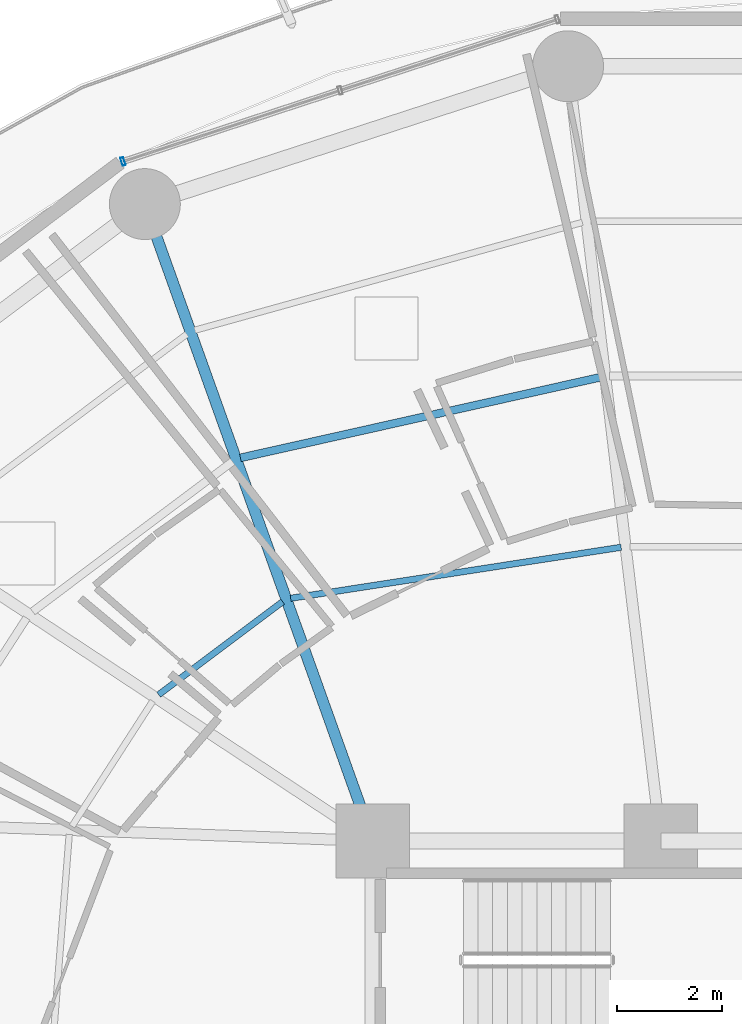
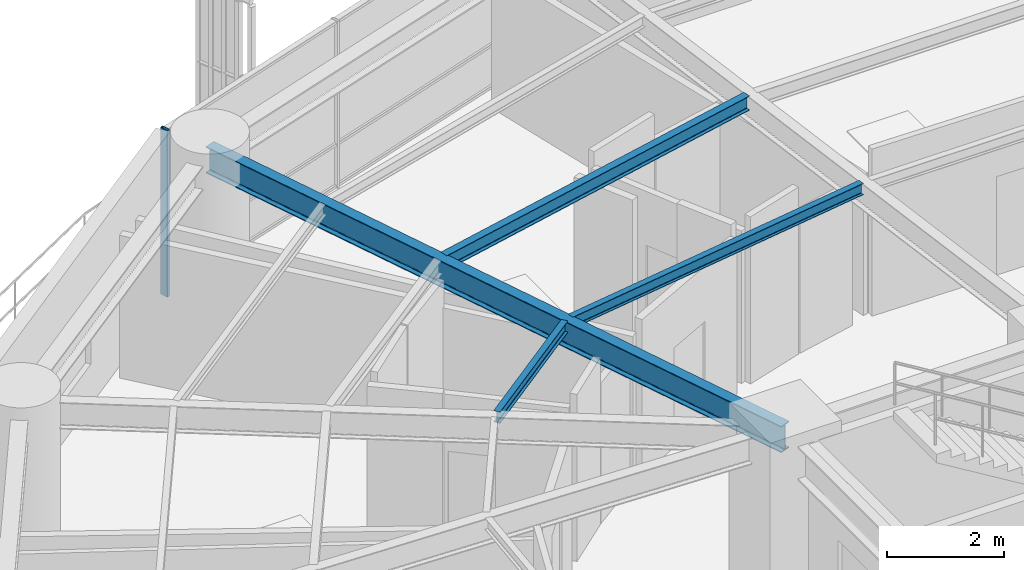
# One storey, part 19 of 36: 4 beams, 1 member, 1 element without a shape of its own.
"""IFC4 building model written with IfcOpenShell, lengths in metres."""

from ifc_helpers import new_model, si_unit, direction, frame, origin, origin_2d, place, context, subcontext, project, spatial, hollow_rectangle, i_section, extrude, material, layer, layer_set, material_profile, profile_set, type_object, element, aggregate, save


model = new_model("IFC4")

# Units and contexts
model_context = context("Model", 3, precision=1e-05, world=origin(), true_north=direction((0.0, 1.0)))
body_context = subcontext(model_context, "Body", "Model", "MODEL_VIEW")
ifc_project = project(units=[si_unit("LENGTHUNIT", "METRE"), si_unit("AREAUNIT", "SQUARE_METRE"), si_unit("VOLUMEUNIT", "CUBIC_METRE"), si_unit("PLANEANGLEUNIT", "RADIAN"), si_unit("MASSUNIT", "GRAM", prefix="KILO")], contexts=[model_context])

# Site, building, storey
site_placement = place(None, origin())
site = spatial("IfcSite", under=ifc_project, at=site_placement, CompositionType="ELEMENT")
building_placement = place(site_placement, origin())
building = spatial("IfcBuilding", under=site, at=building_placement, Name="Kelanora Arch Commons", CompositionType="ELEMENT")
storey_placement = place(building_placement, frame((0.0, 0.0, 98.85009765625)))
storey = spatial("IfcBuildingStorey", under=building, at=storey_placement, Name="L25", CompositionType="ELEMENT", Elevation=98.85009765625)

# Beams
ifc_material_1 = material(Name="Steel S355", Category="steel")
ifc_material_profile_1 = material_profile(ifc_material_1, i_section(OverallWidth=0.14990234375, OverallDepth=0.300048828125, WebThickness=0.007080078125, FlangeThickness=0.0107421875, FilletRadius=0.014892578125, at=origin_2d()), Name="IPE300")
ifc_profile_set_1 = profile_set([ifc_material_profile_1], Name="Steel S355")
beam_type_1 = type_object("IfcBeamType", Name="BM-JST-01", PredefinedType="JOIST", material=ifc_profile_set_1)
beam_1_placement = place(storey_placement, frame((70.337646484375, 73.828125, 3.33984375), z_axis=(-0.975817048791, -0.218588854449, 0.0), x_axis=(0.218588854449, -0.975817048791, 0.0)))
element("IfcBeam", 1, at=beam_1_placement, inside=storey, type_object=beam_type_1, Name="Secondary Chord Joist BJB-10 L25", PredefinedType="JOIST", context=body_context, shape_type="SweptSolid", body=[
    extrude(i_section(OverallWidth=0.14990234375, OverallDepth=0.300048828125, WebThickness=0.007080078125, FlangeThickness=0.0107421875, FilletRadius=0.014892578125, at=origin_2d()), origin(), (0.0, 0.0, 1.0), 7.028564453125),
])
ifc_material_profile_2 = material_profile(ifc_material_1, i_section(OverallWidth=0.1201171875, OverallDepth=0.239990234375, WebThickness=0.006103515625, FlangeThickness=0.009765625, FilletRadius=0.014892578125, at=origin_2d()), Name="IPE240")
ifc_profile_set_2 = profile_set([ifc_material_profile_2], Name="Steel S355")
beam_type_2 = type_object("IfcBeamType", Name="BM-JST-02", PredefinedType="JOIST", material=ifc_profile_set_2)
beam_2_placement = place(storey_placement, frame((70.72509765625, 70.590087890625, 3.369873046875), z_axis=(-0.988295745497, -0.152550055496, 0.0), x_axis=(0.152550055496, -0.988295745497, 0.0)))
element("IfcBeam", 2, at=beam_2_placement, inside=storey, type_object=beam_type_2, Name="Secondary Chord Joist BJA-10 L25", PredefinedType="JOIST", context=body_context, shape_type="SweptSolid", body=[
    extrude(i_section(OverallWidth=0.1201171875, OverallDepth=0.239990234375, WebThickness=0.006103515625, FlangeThickness=0.009765625, FilletRadius=0.014892578125, at=origin_2d()), origin(), (0.0, 0.0, 1.0), 6.36474609375),
])
beam_3_placement = place(storey_placement, frame((64.28271484375, 69.555419921875, 3.369873046875), z_axis=(-0.799692034361, -0.600410401458, 0.0), x_axis=(0.600410401458, -0.799692034361, 0.0)))
element("IfcBeam", 3, at=beam_3_placement, inside=storey, type_object=beam_type_2, Name="Secondary Chord Joist BJA-12 L25", PredefinedType="JOIST", context=body_context, shape_type="SweptSolid", body=[
    extrude(i_section(OverallWidth=0.1201171875, OverallDepth=0.239990234375, WebThickness=0.006103515625, FlangeThickness=0.009765625, FilletRadius=0.014892578125, at=origin_2d()), origin(), (0.0, 0.0, 1.0), 2.949951171875),
])
ifc_material_profile_3 = material_profile(ifc_material_1, i_section(OverallWidth=0.2099609375, OverallDepth=0.550048828125, WebThickness=0.010986328125, FlangeThickness=0.01708984375, FilletRadius=0.02392578125, at=origin_2d()), Name="IPE550")
ifc_profile_set_3 = profile_set([ifc_material_profile_3], Name="Steel S355")
beam_type_3 = type_object("IfcBeamType", Name="BM-RAD-Z2", PredefinedType="BEAM", material=ifc_profile_set_3)
beam_4_placement = place(storey_placement, frame((66.0, 65.0, 3.21484375), z_axis=(-0.337084640008, 0.941474346687, 0.0), x_axis=(-0.941474346687, -0.337084640008, 0.0)))
element("IfcBeam", 4, at=beam_4_placement, inside=storey, type_object=beam_type_3, Name="Radial Floor Girder BR-12 L25", PredefinedType="BEAM", context=body_context, shape_type="SweptSolid", body=[
    extrude(i_section(OverallWidth=0.2099609375, OverallDepth=0.550048828125, WebThickness=0.010986328125, FlangeThickness=0.01708984375, FilletRadius=0.02392578125, at=origin_2d()), origin(), (0.0, 0.0, 1.0), 12.875244140625),
])

# Curtain wall, member
ifc_material_2 = material(Name="Terracotta ceramic-fritted low-E glass and aluminium", Category="masonry")
ifc_layer = layer(ifc_material_2, 0.159912109375)
ifc_layer_set = layer_set([ifc_layer], Name="Terracotta ceramic-fritted low-E glass and aluminium")
curtain_wall_type = type_object("IfcCurtainWallType", Name="CW-SYS-01", PredefinedType="NOTDEFINED", material=ifc_layer_set)
curtain_wall_placement = place(storey_placement, origin())
curtain_wall = element("IfcCurtainWall", 5, at=curtain_wall_placement, inside=storey, type_object=curtain_wall_type, Name="Unitised Curtain Wall L25-B05", PredefinedType="NOTDEFINED")
ifc_material_3 = material(Name="Powder-coated aluminium terracotta", Category="masonry")
ifc_material_profile_4 = material_profile(ifc_material_3, hollow_rectangle(XDim=0.159912109375, YDim=0.06005859375, WallThickness=0.0048828125, InnerFilletRadius=0.0048828125, OuterFilletRadius=0.010009765625, at=origin_2d()), Name="CWM160x60")
ifc_profile_set_4 = profile_set([ifc_material_profile_4], Name="Powder-coated aluminium terracotta")
member_type = type_object("IfcMemberType", Name="CWM-STD", PredefinedType="MULLION", material=ifc_profile_set_4)
member_placement = place(storey_placement, frame((61.242919921875, 77.9326171875, 0.0), z_axis=(0.0, 0.0, 1.0), x_axis=(0.31080470294, -0.950473795867, 0.0)))
member = element("IfcMember", 6, at=member_placement, type_object=member_type, Name="CW-01 mullion 3", PredefinedType="MULLION", context=body_context, shape_type="SweptSolid", body=[
    extrude(hollow_rectangle(XDim=0.159912109375, YDim=0.06005859375, WallThickness=0.0048828125, InnerFilletRadius=0.0048828125, OuterFilletRadius=0.010009765625, at=origin_2d()), origin(), (0.0, 0.0, 1.0), 3.474853515625),
])
aggregate(curtain_wall, [member])

save(model, "model.ifc")
